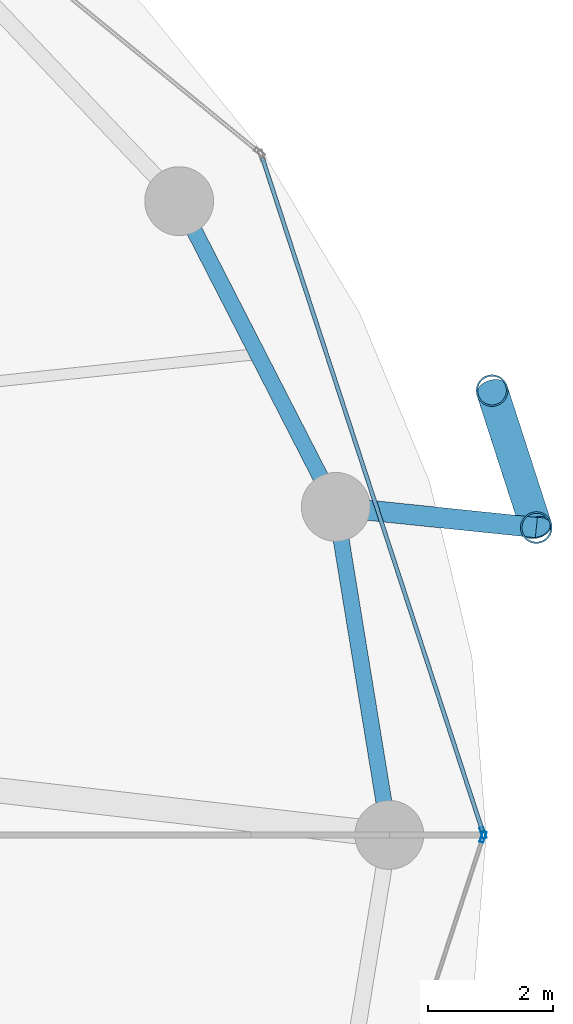
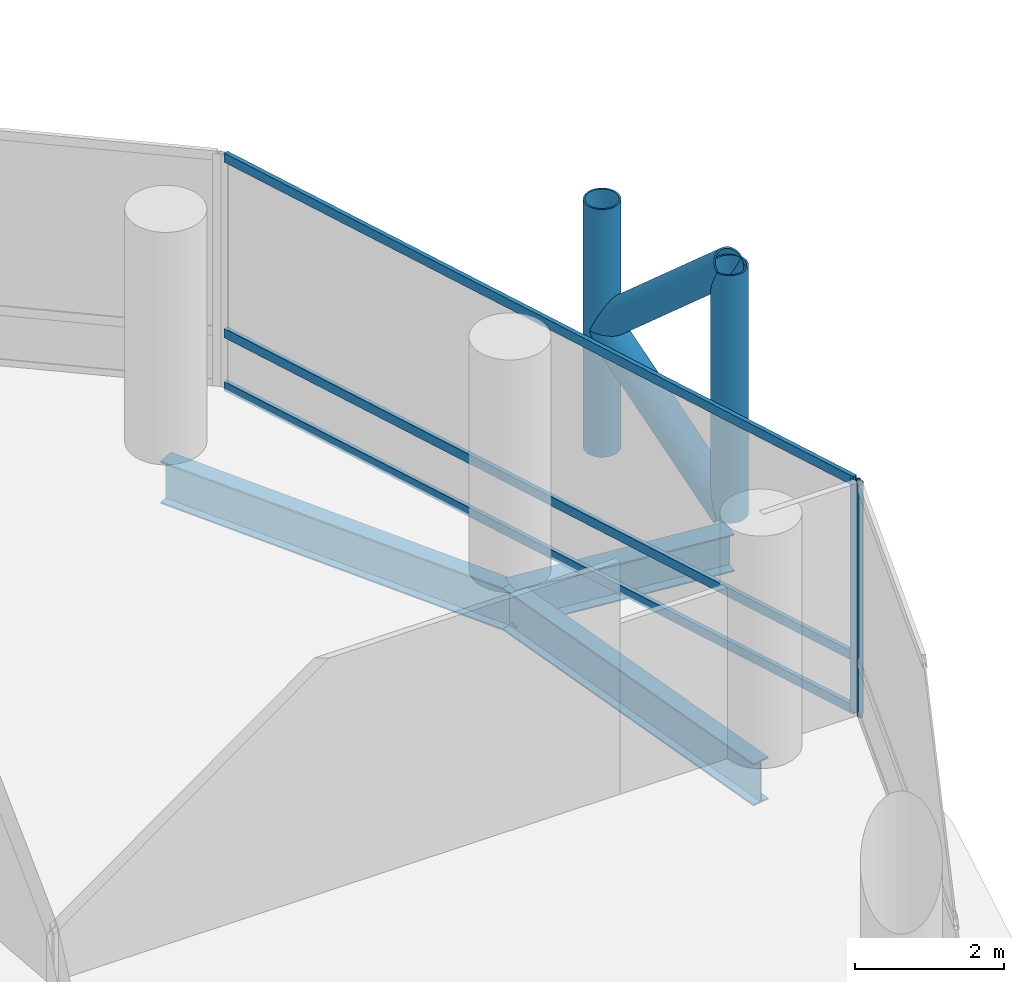
# One storey, part 12 of 25: 9 members, 3 beams, 2 elements without a shape of their own.
"""IFC4 building model written with IfcOpenShell, lengths in metres."""

from ifc_helpers import new_model, si_unit, direction, frame, origin, origin_2d, place, context, subcontext, project, spatial, hollow_rectangle, hollow_circle, i_section, extrude, material, layer, layer_set, material_profile, profile_set, type_object, element, aggregate, save


model = new_model("IFC4")

# Units and contexts
model_context = context("Model", 3, precision=1e-05, world=origin(), true_north=direction((0.0, 1.0)))
body_context = subcontext(model_context, "Body", "Model", "MODEL_VIEW")
ifc_project = project(units=[si_unit("LENGTHUNIT", "METRE"), si_unit("AREAUNIT", "SQUARE_METRE"), si_unit("VOLUMEUNIT", "CUBIC_METRE"), si_unit("PLANEANGLEUNIT", "RADIAN"), si_unit("MASSUNIT", "GRAM", prefix="KILO")], contexts=[model_context])

# Site, building, storey
site_placement = place(None, origin())
site = spatial("IfcSite", under=ifc_project, at=site_placement, CompositionType="ELEMENT")
building_placement = place(site_placement, origin())
building = spatial("IfcBuilding", under=site, at=building_placement, Name="Nuhasar Tower", CompositionType="ELEMENT")
storey_placement = place(building_placement, frame((0.0, 0.0, 57.449951171875)))
storey = spatial("IfcBuildingStorey", under=building, at=storey_placement, Name="L13", CompositionType="ELEMENT", Elevation=57.449951171875)

# Beams
ifc_material_1 = material(Name="Steel S355", Category="steel")
ifc_material_profile_1 = material_profile(ifc_material_1, i_section(OverallWidth=0.256103515625, OverallDepth=0.693115234375, WebThickness=0.014404296875, FlangeThickness=0.023681640625, at=origin_2d()), Name="W27X114")
ifc_profile_set_1 = profile_set([ifc_material_profile_1], Name="Steel S355")
beam_type_1 = type_object("IfcBeamType", Name="BM-RING-W27X114", PredefinedType="SPANDREL", material=ifc_profile_set_1)
beam_1_placement = place(storey_placement, frame((64.050048828125, 26.800048828125, -0.595947265625), z_axis=(-0.160826635486, 0.986982671235, 0.0), x_axis=(-0.986982671235, -0.160826635486, 0.0)))
element("IfcBeam", 1, at=beam_1_placement, inside=storey, type_object=beam_type_1, Name="L13 Perimeter Ring Spandrel 01", PredefinedType="SPANDREL", context=body_context, shape_type="SweptSolid", body=[
    extrude(i_section(OverallWidth=0.256103515625, OverallDepth=0.693115234375, WebThickness=0.014404296875, FlangeThickness=0.023681640625, at=origin_2d()), origin(), (0.0, 0.0, 1.0), 5.31005859375),
])
beam_2_placement = place(storey_placement, frame((63.196044921875, 32.041015625, -0.595947265625), z_axis=(-0.455930023905, 0.890015625314, 0.0), x_axis=(-0.890015625314, -0.455930023905, 0.0)))
element("IfcBeam", 2, at=beam_2_placement, inside=storey, type_object=beam_type_1, Name="L13 Perimeter Ring Spandrel 02", PredefinedType="SPANDREL", context=body_context, shape_type="SweptSolid", body=[
    extrude(i_section(OverallWidth=0.256103515625, OverallDepth=0.693115234375, WebThickness=0.014404296875, FlangeThickness=0.023681640625, at=origin_2d()), origin(), (0.0, 0.0, 1.0), 5.487548828125),
])
ifc_material_profile_2 = material_profile(ifc_material_1, i_section(OverallWidth=0.323974609375, OverallDepth=0.611083984375, WebThickness=0.0126953125, FlangeThickness=0.01904296875, at=origin_2d()), Name="W24X104")
ifc_profile_set_2 = profile_set([ifc_material_profile_2], Name="Steel S355")
beam_type_2 = type_object("IfcBeamType", Name="BM-TIE-W24X104", PredefinedType="BEAM", material=ifc_profile_set_2)
beam_3_placement = place(storey_placement, frame((63.196044921875, 32.041015625, -0.554931640625), z_axis=(0.994703825606, -0.102782777377, 0.0), x_axis=(0.102782777377, 0.994703825606, 0.0)))
element("IfcBeam", 3, at=beam_3_placement, inside=storey, type_object=beam_type_2, Name="L13 Exoskeleton Node Tie Beam 01", PredefinedType="BEAM", context=body_context, shape_type="SweptSolid", body=[
    extrude(i_section(OverallWidth=0.323974609375, OverallDepth=0.611083984375, WebThickness=0.0126953125, FlangeThickness=0.01904296875, at=origin_2d()), origin(), (0.0, 0.0, 1.0), 3.220947265625),
])

# Curtain wall, member
ifc_material_2 = material(Name="Aluminium 6063-T6", Category="aluminium")
ifc_layer = layer(ifc_material_2, 0.199951171875)
ifc_layer_set = layer_set([ifc_layer], Name="Aluminium 6063-T6")
curtain_wall_type = type_object("IfcCurtainWallType", Name="CW-Z1-OFF", PredefinedType="NOTDEFINED", material=ifc_layer_set)
curtain_wall_1_placement = place(storey_placement, origin())
curtain_wall_1 = element("IfcCurtainWall", 4, at=curtain_wall_1_placement, inside=storey, type_object=curtain_wall_type, Name="L13 Unitised Curtain Wall 01", PredefinedType="NOTDEFINED")
ifc_material_profile_3 = material_profile(ifc_material_2, hollow_rectangle(XDim=0.06494140625, YDim=0.179931640625, WallThickness=0.0048828125, at=origin_2d()), Name="CWM-2")
ifc_profile_set_3 = profile_set([ifc_material_profile_3], Name="Aluminium 6063-T6")
member_type_1 = type_object("IfcMemberType", Name="CW-MUL-S2", PredefinedType="MULLION", material=ifc_profile_set_3)
member_1_placement = place(storey_placement, frame((65.5498046875, 26.830810546875, 0.0), z_axis=(0.0, 0.0, 1.0), x_axis=(-0.950467534571, -0.310823849997, 0.0)))
member_1 = element("IfcMember", 5, at=member_1_placement, type_object=member_type_1, Name="CW-Z1 mullion 1", PredefinedType="MULLION", context=body_context, shape_type="SweptSolid", body=[
    extrude(hollow_rectangle(XDim=0.06494140625, YDim=0.179931640625, WallThickness=0.0048828125, at=origin_2d()), origin(), (0.0, 0.0, 1.0), 3.800048828125),
])

curtain_wall_2_placement = place(storey_placement, origin())
curtain_wall_2 = element("IfcCurtainWall", 6, at=curtain_wall_2_placement, inside=storey, type_object=curtain_wall_type, Name="L13 Unitised Curtain Wall 12", PredefinedType="NOTDEFINED")
member_2_placement = place(storey_placement, frame((65.5498046875, 26.76904296875, 0.0), z_axis=(0.0, 0.0, 1.0), x_axis=(-0.950467534571, 0.310823849997, 0.0)))
member_2 = element("IfcMember", 7, at=member_2_placement, type_object=member_type_1, Name="CW-Z1 mullion 2", PredefinedType="MULLION", context=body_context, shape_type="SweptSolid", body=[
    extrude(hollow_rectangle(XDim=0.06494140625, YDim=0.179931640625, WallThickness=0.0048828125, at=origin_2d()), origin(), (0.0, 0.0, 1.0), 3.800048828125),
])
aggregate(curtain_wall_2, [member_2])

# Member
ifc_material_profile_4 = material_profile(ifc_material_2, hollow_rectangle(XDim=0.06494140625, YDim=0.14990234375, WallThickness=0.00439453125, at=origin_2d()), Name="CWT-2")
ifc_profile_set_4 = profile_set([ifc_material_profile_4], Name="Aluminium 6063-T6")
member_type_2 = type_object("IfcMemberType", Name="CW-TRN-S2", PredefinedType="USERDEFINED", material=ifc_profile_set_4)
member_3_placement = place(storey_placement, frame((65.539794921875, 26.86181640625, 0.032470703125), z_axis=(-0.31082506089, 0.950467138581, 0.0), x_axis=(-0.950467138581, -0.31082506089, 0.0)))
member_3 = element("IfcMember", 8, at=member_3_placement, type_object=member_type_2, Name="CW-Z1 transom 1.1", ObjectType="TRANSOM", PredefinedType="USERDEFINED", context=body_context, shape_type="SweptSolid", body=[
    extrude(hollow_rectangle(XDim=0.06494140625, YDim=0.14990234375, WallThickness=0.00439453125, at=origin_2d()), origin(), (0.0, 0.0, 1.0), 11.31689453125),
])

member_4_placement = place(storey_placement, frame((65.539794921875, 26.86181640625, 0.900146484375), z_axis=(-0.31082506089, 0.950467138581, 0.0), x_axis=(-0.950467138581, -0.31082506089, 0.0)))
member_4 = element("IfcMember", 9, at=member_4_placement, type_object=member_type_2, Name="CW-Z1 transom 1.2", ObjectType="TRANSOM", PredefinedType="USERDEFINED", context=body_context, shape_type="SweptSolid", body=[
    extrude(hollow_rectangle(XDim=0.06494140625, YDim=0.14990234375, WallThickness=0.00439453125, at=origin_2d()), origin(), (0.0, 0.0, 1.0), 11.31689453125),
])

member_5_placement = place(storey_placement, frame((65.539794921875, 26.86181640625, 3.767578125), z_axis=(-0.31082506089, 0.950467138581, 0.0), x_axis=(-0.950467138581, -0.31082506089, 0.0)))
member_5 = element("IfcMember", 10, at=member_5_placement, type_object=member_type_2, Name="CW-Z1 transom 1.3", ObjectType="TRANSOM", PredefinedType="USERDEFINED", context=body_context, shape_type="SweptSolid", body=[
    extrude(hollow_rectangle(XDim=0.06494140625, YDim=0.14990234375, WallThickness=0.00439453125, at=origin_2d()), origin(), (0.0, 0.0, 1.0), 11.31689453125),
])

aggregate(curtain_wall_1, [member_1, member_3, member_4, member_5])

# Members
ifc_material_3 = material(Name="Steel S460", Category="steel")
ifc_material_profile_5 = material_profile(ifc_material_3, hollow_circle(Radius=0.25390625, WallThickness=0.025390625, at=origin_2d()), Name="HSS508X25.4")
ifc_profile_set_5 = profile_set([ifc_material_profile_5], Name="Steel S460")
member_type_3 = type_object("IfcMemberType", Name="EXO-BRONZE-508", PredefinedType="BRACE", material=ifc_profile_set_5)
for number, where, z_axis, x_axis, name in (
    (11, (66.39990234375, 31.7099609375, 0.0), (0.0, 0.0, 1.0), (1.0, 0.0, 0.0), "L13 Exoskeleton Chord Column EC-01A"),
    (12, (65.69189453125, 33.89892578125, 0.0), (0.0, 0.0, 1.0), (1.0, 0.0, 0.0), "L13 Exoskeleton Chord Column EC-01B"),
):
    element("IfcMember", number, at=place(storey_placement, frame(where, z_axis=z_axis, x_axis=x_axis)), inside=storey, type_object=member_type_3, Name=name, PredefinedType="BRACE", context=body_context, shape_type="SweptSolid", body=[
        extrude(hollow_circle(Radius=0.25390625, WallThickness=0.025390625, at=origin_2d()), origin(), (0.0, 0.0, 1.0), 4.050048828125),
    ])
member_6_placement = place(storey_placement, frame((66.39990234375, 31.7099609375, 0.0), z_axis=(-0.230999678299, 0.714187281251, 0.660738734997), x_axis=(-0.951468282519, -0.307746823478, 0.0)))
element("IfcMember", 13, at=member_6_placement, inside=storey, type_object=member_type_3, Name="L13 Bronze Diagrid Brace W1-01", PredefinedType="BRACE", context=body_context, shape_type="SweptSolid", body=[
    extrude(hollow_circle(Radius=0.25390625, WallThickness=0.025390625, at=origin_2d()), origin(), (0.0, 0.0, 1.0), 3.06494140625),
])
member_7_placement = place(storey_placement, frame((65.69189453125, 33.89892578125, 2.025146484375), z_axis=(0.231011836313, -0.714224870475, 0.660693851854), x_axis=(0.951468282519, 0.307746823478, 0.0)))
element("IfcMember", 14, at=member_7_placement, inside=storey, type_object=member_type_3, Name="L13 Bronze Diagrid Brace W2-01", PredefinedType="BRACE", context=body_context, shape_type="SweptSolid", body=[
    extrude(hollow_circle(Radius=0.25390625, WallThickness=0.025390625, at=origin_2d()), origin(), (0.0, 0.0, 1.0), 3.064697265625),
])

save(model, "model.ifc")
